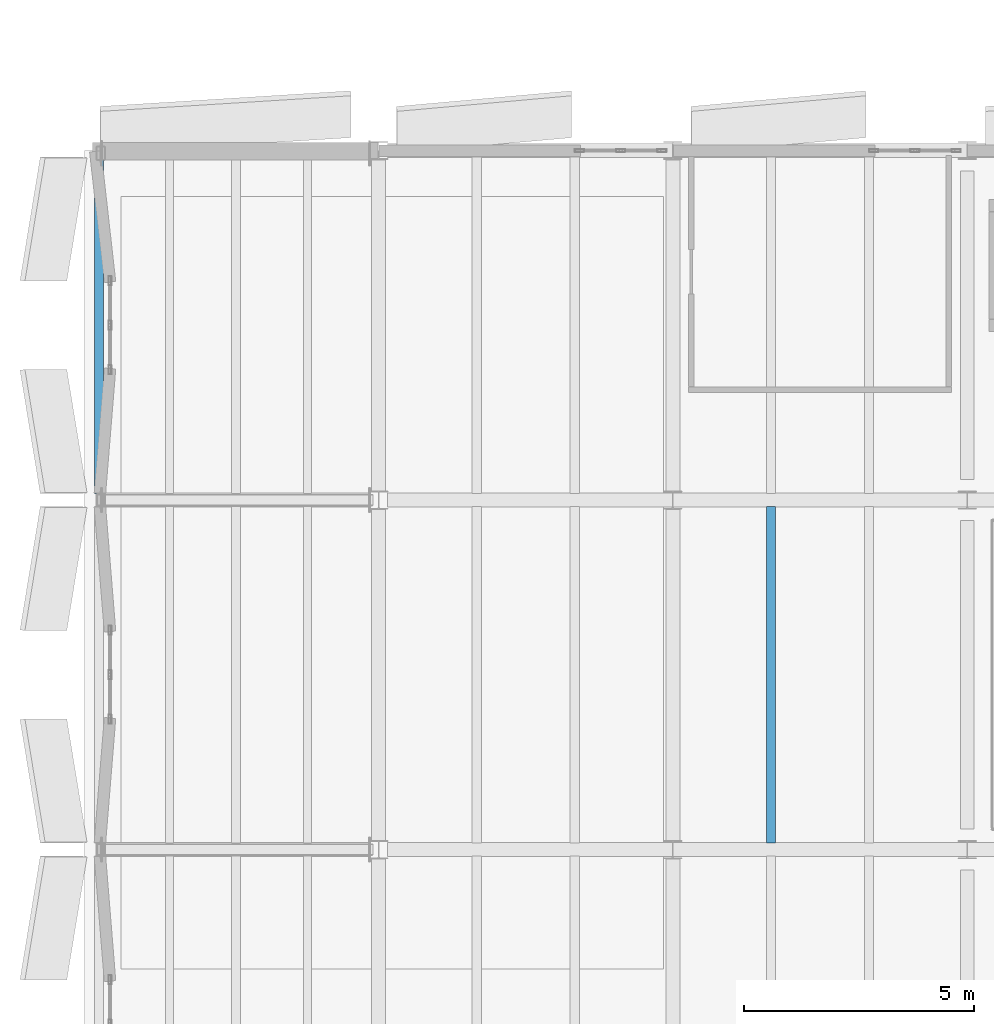
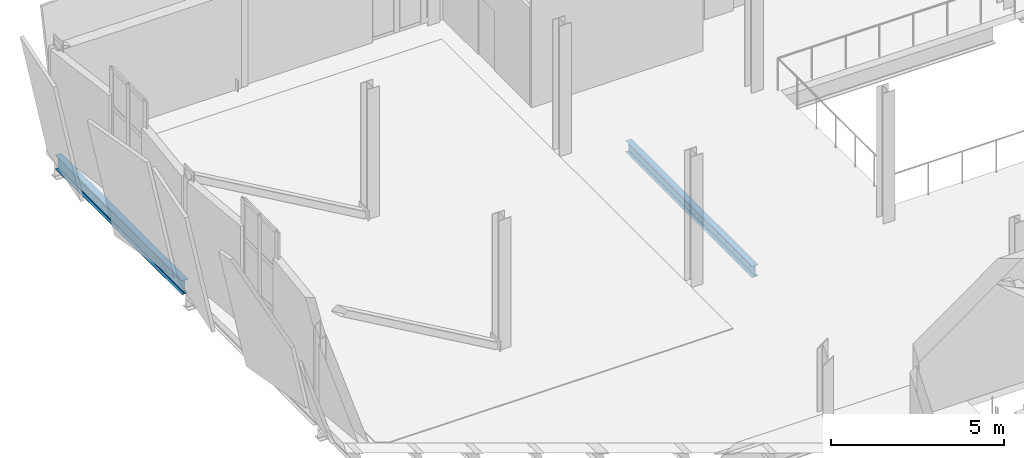
# One storey, part 63 of 172: 2 beams.
"""IFC4 building model written with IfcOpenShell, lengths in metres."""

from ifc_helpers import new_model, si_unit, direction, frame, origin, origin_2d, place, context, subcontext, project, spatial, i_section, extrude, material, material_profile, profile_set, type_object, element, save


model = new_model("IFC4")

# Units and contexts
model_context = context("Model", 3, precision=1e-05, world=origin(), true_north=direction((0.0, 1.0)))
body_context = subcontext(model_context, "Body", "Model", "MODEL_VIEW")
ifc_project = project(units=[si_unit("LENGTHUNIT", "METRE"), si_unit("AREAUNIT", "SQUARE_METRE"), si_unit("VOLUMEUNIT", "CUBIC_METRE"), si_unit("PLANEANGLEUNIT", "RADIAN"), si_unit("MASSUNIT", "GRAM", prefix="KILO")], contexts=[model_context])

# Site, building, storey
site_placement = place(None, origin())
site = spatial("IfcSite", under=ifc_project, at=site_placement, CompositionType="ELEMENT")
building_placement = place(site_placement, origin())
building = spatial("IfcBuilding", under=site, at=building_placement, Name="Shengluoqiao Park Theatre", CompositionType="ELEMENT")
storey_placement = place(building_placement, frame((0.0, 0.0, 5.39990234375)))
storey = spatial("IfcBuildingStorey", under=building, at=storey_placement, Name="L01", CompositionType="ELEMENT", Elevation=5.39990234375)

# Beams
ifc_material = material(Name="Steel Q355", Category="steel")
ifc_material_profile_1 = material_profile(ifc_material, i_section(OverallWidth=0.199951171875, OverallDepth=0.39990234375, WebThickness=0.008056640625, FlangeThickness=0.012939453125, FilletRadius=0.01611328125, at=origin_2d()), Name="HN 400x200x8x13")
ifc_profile_set_1 = profile_set([ifc_material_profile_1], Name="Steel Q355")
beam_type_1 = type_object("IfcBeamType", Name="STR-BM-J-HN400", PredefinedType="JOIST", material=ifc_profile_set_1)
beam_1_placement = place(storey_placement, frame((14.933349609375, 60.945068359375, -0.43994140625), z_axis=(0.0, 1.0, 0.0), x_axis=(-1.0, 0.0, 0.0)))
element("IfcBeam", 1, at=beam_1_placement, inside=storey, type_object=beam_type_1, Name="L01 Composite Joist 00476", PredefinedType="JOIST", context=body_context, shape_type="SweptSolid", body=[
    extrude(i_section(OverallWidth=0.199951171875, OverallDepth=0.39990234375, WebThickness=0.008056640625, FlangeThickness=0.012939453125, FilletRadius=0.01611328125, at=origin_2d()), origin(), (0.0, 0.0, 1.0), 7.309814453125),
])
ifc_material_profile_2 = material_profile(ifc_material, i_section(OverallWidth=0.198974609375, OverallDepth=0.49609375, WebThickness=0.009033203125, FlangeThickness=0.013916015625, FilletRadius=0.01806640625, at=origin_2d()), Name="HN 496x199x9x14")
ifc_profile_set_2 = profile_set([ifc_material_profile_2], Name="Steel Q355")
beam_type_2 = type_object("IfcBeamType", Name="STR-BM-SP-HN496", PredefinedType="SPANDREL", material=ifc_profile_set_2)
beam_2_placement = place(storey_placement, frame((0.320068359375, 68.5439453125, -0.48779296875), z_axis=(0.0, 1.0, 0.0), x_axis=(-1.0, 0.0, 0.0)))
element("IfcBeam", 2, at=beam_2_placement, inside=storey, type_object=beam_type_2, Name="V5 L01 Cantilever Spandrel 00041", PredefinedType="SPANDREL", context=body_context, shape_type="SweptSolid", body=[
    extrude(i_section(OverallWidth=0.198974609375, OverallDepth=0.49609375, WebThickness=0.009033203125, FlangeThickness=0.013916015625, FilletRadius=0.01806640625, at=origin_2d()), origin(), (0.0, 0.0, 1.0), 7.31201171875),
])

save(model, "model.ifc")
